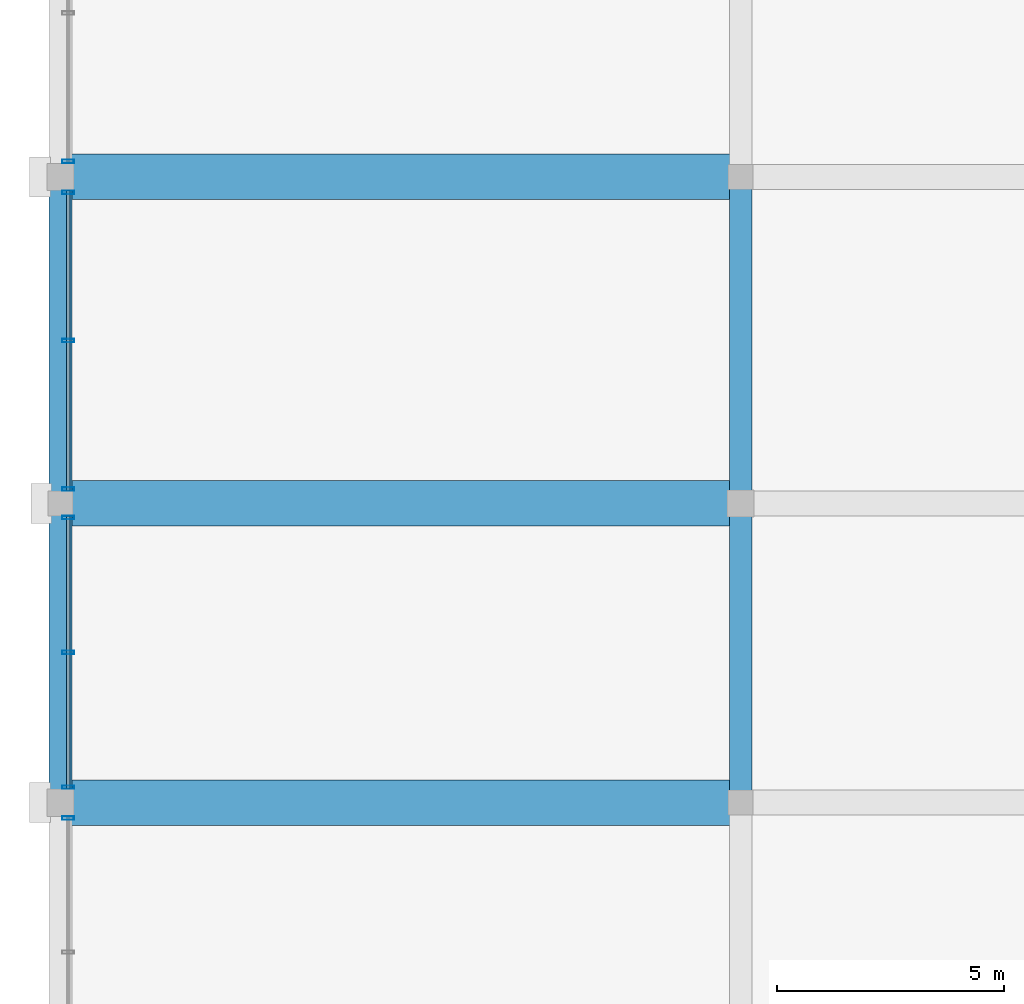
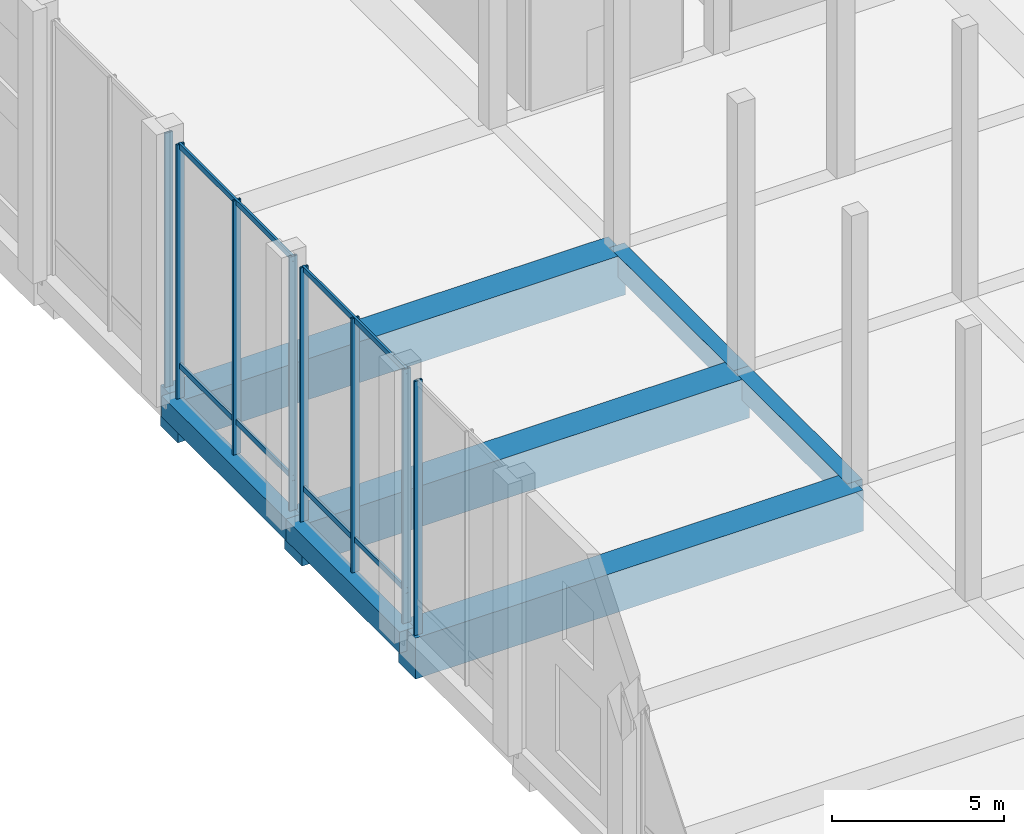
# One storey, part 23 of 80: 12 members, 7 beams, 4 elements without a shape of their own.
"""IFC4 building model written with IfcOpenShell, lengths in metres."""

from ifc_helpers import new_model, si_unit, direction, frame, origin, origin_2d, place, context, subcontext, project, spatial, rectangle, hollow_rectangle, extrude, material, material_profile, profile_set, type_object, element, aggregate, save


model = new_model("IFC4")

# Units and contexts
model_context = context("Model", 3, precision=1e-05, world=origin(), true_north=direction((0.0, 1.0)))
body_context = subcontext(model_context, "Body", "Model", "MODEL_VIEW")
ifc_project = project(units=[si_unit("LENGTHUNIT", "METRE"), si_unit("AREAUNIT", "SQUARE_METRE"), si_unit("VOLUMEUNIT", "CUBIC_METRE"), si_unit("PLANEANGLEUNIT", "RADIAN"), si_unit("MASSUNIT", "GRAM", prefix="KILO")], contexts=[model_context])

# Site, building, storey
site_placement = place(None, origin())
site = spatial("IfcSite", under=ifc_project, at=site_placement, CompositionType="ELEMENT")
building_placement = place(site_placement, origin())
building = spatial("IfcBuilding", under=site, at=building_placement, Name="Akrevak Sports Hall", CompositionType="ELEMENT")
storey_placement = place(building_placement, frame((0.0, 0.0, 14.0)))
storey = spatial("IfcBuildingStorey", under=building, at=storey_placement, Name="L03", CompositionType="ELEMENT", Elevation=14.0)

# Curtain wall, member
ifc_material_1 = material(Name="Anodized Bronze Aluminium & Low-E Glass", Category="aluminium")
curtain_wall_type = type_object("IfcCurtainWallType", Name="ARC-CW-POD-64x94", PredefinedType="NOTDEFINED", material=ifc_material_1)
curtain_wall_1_placement = place(storey_placement, origin())
curtain_wall_1 = element("IfcCurtainWall", 1, at=curtain_wall_1_placement, inside=storey, type_object=curtain_wall_type, Name="Curtain Wall CW-L03-W05", PredefinedType="NOTDEFINED")
ifc_material_2 = material(Name="Anodized Bronze Aluminium", Category="aluminium")
ifc_material_profile_1 = material_profile(ifc_material_2, hollow_rectangle(XDim=0.074951171875, YDim=0.260009765625, WallThickness=0.0048828125, at=origin_2d()), Name="CWM 75x260", Category="aluminium")
ifc_profile_set_1 = profile_set([ifc_material_profile_1], Name="Anodized Bronze Aluminium")
member_type_1 = type_object("IfcMemberType", Name="ARC-CWM-80x180", PredefinedType="MULLION", material=ifc_profile_set_1)
member_1_placement = place(storey_placement, frame((0.169921875, 48.260009765625, 0.0), z_axis=(0.0, 0.0, 1.0), x_axis=(0.0, -1.0, 0.0)))
member_1 = element("IfcMember", 2, at=member_1_placement, type_object=member_type_1, Name="Curtain Wall Mullion CW-L03-W05-M1", PredefinedType="MULLION", context=body_context, shape_type="SweptSolid", body=[
    extrude(hollow_rectangle(XDim=0.074951171875, YDim=0.260009765625, WallThickness=0.0048828125, at=origin_2d()), origin(), (0.0, 0.0, 1.0), 9.0),
])
aggregate(curtain_wall_1, [member_1])

# Curtain wall, members
curtain_wall_2_placement = place(storey_placement, origin())
curtain_wall_2 = element("IfcCurtainWall", 3, at=curtain_wall_2_placement, inside=storey, type_object=curtain_wall_type, Name="Curtain Wall CW-L03-W06", PredefinedType="NOTDEFINED")
member_2_placement = place(storey_placement, frame((0.169921875, 54.885009765625, 0.0), z_axis=(0.0, 0.0, 1.0), x_axis=(0.0, -1.0, 0.0)))
member_2 = element("IfcMember", 4, at=member_2_placement, type_object=member_type_1, Name="Curtain Wall Mullion CW-L03-W06-M1", PredefinedType="MULLION", context=body_context, shape_type="SweptSolid", body=[
    extrude(hollow_rectangle(XDim=0.074951171875, YDim=0.260009765625, WallThickness=0.0048828125, at=origin_2d()), origin(), (0.0, 0.0, 1.0), 9.0),
])
member_3_placement = place(storey_placement, frame((0.169921875, 51.91259765625, 0.0), z_axis=(0.0, 0.0, 1.0), x_axis=(0.0, -1.0, 0.0)))
member_3 = element("IfcMember", 5, at=member_3_placement, type_object=member_type_1, Name="Curtain Wall Mullion CW-L03-W06-M2", PredefinedType="MULLION", context=body_context, shape_type="SweptSolid", body=[
    extrude(hollow_rectangle(XDim=0.074951171875, YDim=0.260009765625, WallThickness=0.0048828125, at=origin_2d()), origin(), (0.0, 0.0, 1.0), 9.0),
])
member_4_placement = place(storey_placement, frame((0.169921875, 48.93994140625, 0.0), z_axis=(0.0, 0.0, 1.0), x_axis=(0.0, -1.0, 0.0)))
member_4 = element("IfcMember", 6, at=member_4_placement, type_object=member_type_1, Name="Curtain Wall Mullion CW-L03-W06-M3", PredefinedType="MULLION", context=body_context, shape_type="SweptSolid", body=[
    extrude(hollow_rectangle(XDim=0.074951171875, YDim=0.260009765625, WallThickness=0.0048828125, at=origin_2d()), origin(), (0.0, 0.0, 1.0), 9.0),
])

curtain_wall_3_placement = place(storey_placement, origin())
curtain_wall_3 = element("IfcCurtainWall", 7, at=curtain_wall_3_placement, inside=storey, type_object=curtain_wall_type, Name="Curtain Wall CW-L03-W07", PredefinedType="NOTDEFINED")
member_5_placement = place(storey_placement, frame((0.169921875, 62.06005859375, 0.0), z_axis=(0.0, 0.0, 1.0), x_axis=(0.0, -1.0, 0.0)))
member_5 = element("IfcMember", 8, at=member_5_placement, type_object=member_type_1, Name="Curtain Wall Mullion CW-L03-W07-M1", PredefinedType="MULLION", context=body_context, shape_type="SweptSolid", body=[
    extrude(hollow_rectangle(XDim=0.074951171875, YDim=0.260009765625, WallThickness=0.0048828125, at=origin_2d()), origin(), (0.0, 0.0, 1.0), 9.0),
])
member_6_placement = place(storey_placement, frame((0.169921875, 58.78759765625, 0.0), z_axis=(0.0, 0.0, 1.0), x_axis=(0.0, -1.0, 0.0)))
member_6 = element("IfcMember", 9, at=member_6_placement, type_object=member_type_1, Name="Curtain Wall Mullion CW-L03-W07-M2", PredefinedType="MULLION", context=body_context, shape_type="SweptSolid", body=[
    extrude(hollow_rectangle(XDim=0.074951171875, YDim=0.260009765625, WallThickness=0.0048828125, at=origin_2d()), origin(), (0.0, 0.0, 1.0), 9.0),
])
member_7_placement = place(storey_placement, frame((0.169921875, 55.514892578125, 0.0), z_axis=(0.0, 0.0, 1.0), x_axis=(0.0, -1.0, 0.0)))
member_7 = element("IfcMember", 10, at=member_7_placement, type_object=member_type_1, Name="Curtain Wall Mullion CW-L03-W07-M3", PredefinedType="MULLION", context=body_context, shape_type="SweptSolid", body=[
    extrude(hollow_rectangle(XDim=0.074951171875, YDim=0.260009765625, WallThickness=0.0048828125, at=origin_2d()), origin(), (0.0, 0.0, 1.0), 9.0),
])

# Curtain wall, member
curtain_wall_4_placement = place(storey_placement, origin())
curtain_wall_4 = element("IfcCurtainWall", 11, at=curtain_wall_4_placement, inside=storey, type_object=curtain_wall_type, Name="Curtain Wall CW-L03-W08", PredefinedType="NOTDEFINED")
member_8_placement = place(storey_placement, frame((0.169921875, 62.739990234375, 0.0), z_axis=(0.0, 0.0, 1.0), x_axis=(0.0, -1.0, 0.0)))
member_8 = element("IfcMember", 12, at=member_8_placement, type_object=member_type_1, Name="Curtain Wall Mullion CW-L03-W08-M3", PredefinedType="MULLION", context=body_context, shape_type="SweptSolid", body=[
    extrude(hollow_rectangle(XDim=0.074951171875, YDim=0.260009765625, WallThickness=0.0048828125, at=origin_2d()), origin(), (0.0, 0.0, 1.0), 9.0),
])
aggregate(curtain_wall_4, [member_8])

# Member
ifc_material_profile_2 = material_profile(ifc_material_2, hollow_rectangle(XDim=0.074951171875, YDim=0.18994140625, WallThickness=0.00439453125, at=origin_2d()), Name="CWT 75x190", Category="aluminium")
ifc_profile_set_2 = profile_set([ifc_material_profile_2], Name="Anodized Bronze Aluminium")
member_type_2 = type_object("IfcMemberType", Name="ARC-CWT-80x150", PredefinedType="USERDEFINED", material=ifc_profile_set_2)
member_9_placement = place(storey_placement, frame((0.169921875, 54.925048828125, 1.14990234375), z_axis=(0.0, -1.0, 0.0), x_axis=(1.0, 0.0, 0.0)))
member_9 = element("IfcMember", 13, at=member_9_placement, type_object=member_type_2, Name="Curtain Wall Transom CW-L03-W06-T1", ObjectType="TRANSOM", PredefinedType="USERDEFINED", context=body_context, shape_type="SweptSolid", body=[
    extrude(hollow_rectangle(XDim=0.074951171875, YDim=0.18994140625, WallThickness=0.00439453125, at=origin_2d()), origin(), (0.0, 0.0, 1.0), 6.025146484375),
])

member_10_placement = place(storey_placement, frame((0.169921875, 54.925048828125, 8.919921875), z_axis=(0.0, -1.0, 0.0), x_axis=(1.0, 0.0, 0.0)))
member_10 = element("IfcMember", 14, at=member_10_placement, type_object=member_type_2, Name="Curtain Wall Transom CW-L03-W06-T2", ObjectType="TRANSOM", PredefinedType="USERDEFINED", context=body_context, shape_type="SweptSolid", body=[
    extrude(hollow_rectangle(XDim=0.074951171875, YDim=0.18994140625, WallThickness=0.00439453125, at=origin_2d()), origin(), (0.0, 0.0, 1.0), 6.025146484375),
])

aggregate(curtain_wall_2, [member_2, member_3, member_4, member_9, member_10])

member_11_placement = place(storey_placement, frame((0.169921875, 62.10009765625, 1.14990234375), z_axis=(0.0, -1.0, 0.0), x_axis=(1.0, 0.0, 0.0)))
member_11 = element("IfcMember", 15, at=member_11_placement, type_object=member_type_2, Name="Curtain Wall Transom CW-L03-W07-T1", ObjectType="TRANSOM", PredefinedType="USERDEFINED", context=body_context, shape_type="SweptSolid", body=[
    extrude(hollow_rectangle(XDim=0.074951171875, YDim=0.18994140625, WallThickness=0.00439453125, at=origin_2d()), origin(), (0.0, 0.0, 1.0), 6.625),
])

member_12_placement = place(storey_placement, frame((0.169921875, 62.10009765625, 8.919921875), z_axis=(0.0, -1.0, 0.0), x_axis=(1.0, 0.0, 0.0)))
member_12 = element("IfcMember", 16, at=member_12_placement, type_object=member_type_2, Name="Curtain Wall Transom CW-L03-W07-T2", ObjectType="TRANSOM", PredefinedType="USERDEFINED", context=body_context, shape_type="SweptSolid", body=[
    extrude(hollow_rectangle(XDim=0.074951171875, YDim=0.18994140625, WallThickness=0.00439453125, at=origin_2d()), origin(), (0.0, 0.0, 1.0), 6.625),
])

aggregate(curtain_wall_3, [member_5, member_6, member_7, member_11, member_12])

# Beams
ifc_material_3 = material(Name="Concrete C50/60", Category="concrete")
ifc_material_profile_3 = material_profile(ifc_material_3, rectangle(XDim=1.0, YDim=1.449951171875, at=origin_2d()), Name="BM 1000x1450", Category="concrete")
ifc_profile_set_3 = profile_set([ifc_material_profile_3], Name="Concrete C50/60")
beam_type_1 = type_object("IfcBeamType", Name="STR-BM-LG1000x1450", PredefinedType="BEAM", material=ifc_profile_set_3)
for number, where, z_axis, x_axis, name in (
    (17, (0.0, 48.60009765625, -0.72509765625), (1.0, 0.0, 0.0), (0.0, 1.0, 0.0), "Girder H/1-3 (L03)"),
    (18, (0.0, 55.199951171875, -0.72509765625), (1.0, 0.0, 0.0), (0.0, 1.0, 0.0), "Girder I/1-3 (L03)"),
    (19, (0.0, 62.39990234375, -0.72509765625), (1.0, 0.0, 0.0), (0.0, 1.0, 0.0), "Girder J/1-3 (L03)"),
):
    element("IfcBeam", number, at=place(storey_placement, frame(where, z_axis=z_axis, x_axis=x_axis)), inside=storey, type_object=beam_type_1, Name=name, PredefinedType="BEAM", context=body_context, shape_type="SweptSolid", body=[
        extrude(rectangle(XDim=1.0, YDim=1.449951171875, at=origin_2d()), origin(), (0.0, 0.0, 1.0), 15.0),
    ])
ifc_material_4 = material(Name="Concrete C40/50", Category="concrete")
ifc_material_profile_4 = material_profile(ifc_material_4, rectangle(XDim=0.5, YDim=0.75, at=origin_2d()), Name="BM 500x750", Category="concrete")
ifc_profile_set_4 = profile_set([ifc_material_profile_4], Name="Concrete C40/50")
beam_type_2 = type_object("IfcBeamType", Name="STR-BM-RC500x750", PredefinedType="BEAM", material=ifc_profile_set_4)
beam_1_placement = place(storey_placement, frame((0.0, 48.60009765625, -0.375), z_axis=(0.0, 1.0, 0.0), x_axis=(-1.0, 0.0, 0.0)))
element("IfcBeam", 20, at=beam_1_placement, inside=storey, type_object=beam_type_2, Name="Girder 1/H-I (L03)", PredefinedType="BEAM", context=body_context, shape_type="SweptSolid", body=[
    extrude(rectangle(XDim=0.5, YDim=0.75, at=origin_2d()), origin(), (0.0, 0.0, 1.0), 6.599853515625),
])
beam_2_placement = place(storey_placement, frame((0.0, 55.199951171875, -0.375), z_axis=(0.0, 1.0, 0.0), x_axis=(-1.0, 0.0, 0.0)))
element("IfcBeam", 21, at=beam_2_placement, inside=storey, type_object=beam_type_2, Name="Girder 1/I-J (L03)", PredefinedType="BEAM", context=body_context, shape_type="SweptSolid", body=[
    extrude(rectangle(XDim=0.5, YDim=0.75, at=origin_2d()), origin(), (0.0, 0.0, 1.0), 7.199951171875),
])
beam_3_placement = place(storey_placement, frame((15.0, 48.60009765625, -0.375), z_axis=(0.0, 1.0, 0.0), x_axis=(-1.0, 0.0, 0.0)))
element("IfcBeam", 22, at=beam_3_placement, inside=storey, type_object=beam_type_2, Name="Girder 3/H-I (L03)", PredefinedType="BEAM", context=body_context, shape_type="SweptSolid", body=[
    extrude(rectangle(XDim=0.5, YDim=0.75, at=origin_2d()), origin(), (0.0, 0.0, 1.0), 6.599853515625),
])
beam_4_placement = place(storey_placement, frame((15.0, 55.199951171875, -0.375), z_axis=(0.0, 1.0, 0.0), x_axis=(-1.0, 0.0, 0.0)))
element("IfcBeam", 23, at=beam_4_placement, inside=storey, type_object=beam_type_2, Name="Girder 3/I-J (L03)", PredefinedType="BEAM", context=body_context, shape_type="SweptSolid", body=[
    extrude(rectangle(XDim=0.5, YDim=0.75, at=origin_2d()), origin(), (0.0, 0.0, 1.0), 7.199951171875),
])

save(model, "model.ifc")
